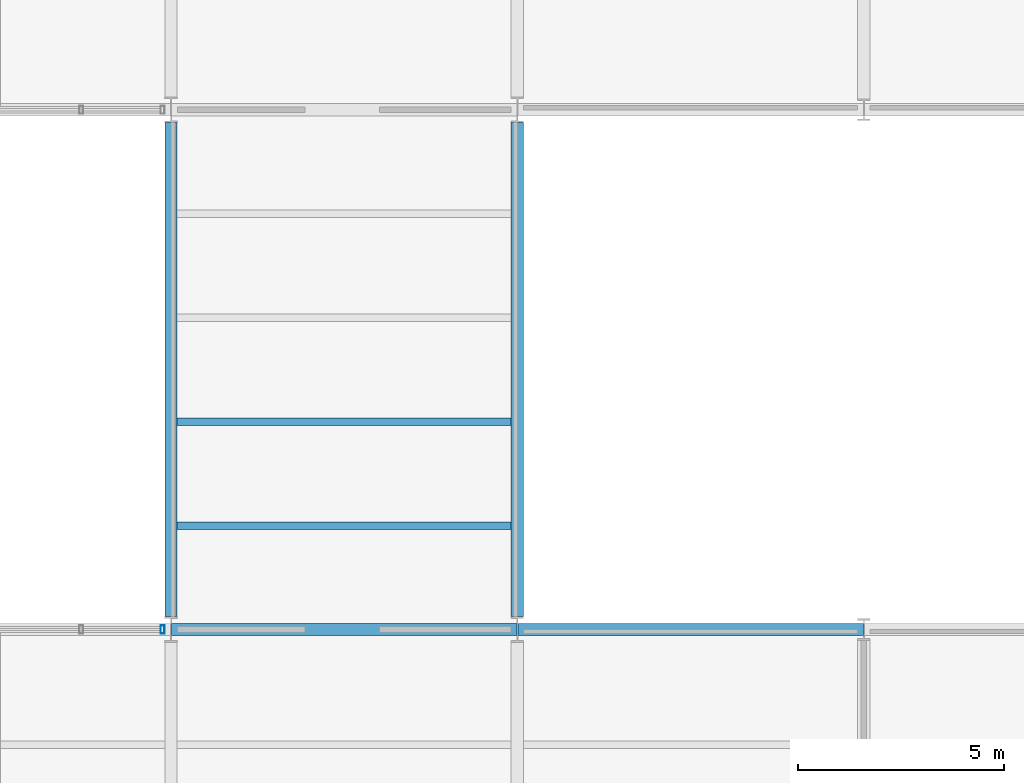
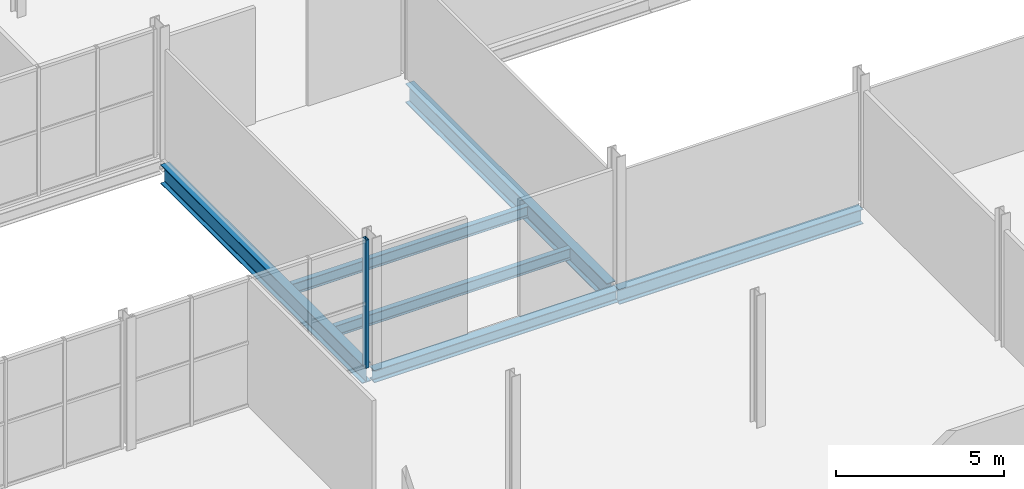
# One storey, part 12 of 52: 6 beams, 1 member, 1 element without a shape of its own.
"""IFC4 building model written with IfcOpenShell, lengths in metres."""

from ifc_helpers import new_model, si_unit, direction, frame, origin, origin_2d, place, context, subcontext, project, spatial, hollow_rectangle, i_section, extrude, material, layer, layer_set, material_profile, profile_set, type_object, element, aggregate, save


model = new_model("IFC4")

# Units and contexts
model_context = context("Model", 3, precision=1e-05, world=origin(), true_north=direction((0.0, 1.0)))
body_context = subcontext(model_context, "Body", "Model", "MODEL_VIEW")
ifc_project = project(units=[si_unit("LENGTHUNIT", "METRE"), si_unit("AREAUNIT", "SQUARE_METRE"), si_unit("VOLUMEUNIT", "CUBIC_METRE"), si_unit("PLANEANGLEUNIT", "RADIAN"), si_unit("MASSUNIT", "GRAM", prefix="KILO")], contexts=[model_context])

# Site, building, storey
site_placement = place(None, origin())
site = spatial("IfcSite", under=ifc_project, at=site_placement, CompositionType="ELEMENT")
building_placement = place(site_placement, origin())
building = spatial("IfcBuilding", under=site, at=building_placement, Name="Galleria Vessillo Department Store", CompositionType="ELEMENT")
storey_placement = place(building_placement, frame((0.0, 0.0, 16.199951171875)))
storey = spatial("IfcBuildingStorey", under=building, at=storey_placement, Name="L03", CompositionType="ELEMENT", Elevation=16.199951171875)

# Beams
ifc_material_1 = material(Name="Steel S355 J2", Category="steel")
ifc_material_profile_1 = material_profile(ifc_material_1, i_section(OverallWidth=0.300048828125, OverallDepth=0.43994140625, WebThickness=0.011474609375, FlangeThickness=0.02099609375, FilletRadius=0.027099609375, at=origin_2d()), Name="HEA 450")
ifc_profile_set_1 = profile_set([ifc_material_profile_1], Name="Steel S355 J2")
beam_type_1 = type_object("IfcBeamType", Name="Bridge girder HEA 450", PredefinedType="BEAM", material=ifc_profile_set_1)
beam_1_placement = place(storey_placement, frame((33.610595703125, 25.199951171875, -0.369873046875), z_axis=(1.0, 0.0, 0.0), x_axis=(0.0, 1.0, 0.0)))
element("IfcBeam", 1, at=beam_1_placement, inside=storey, type_object=beam_type_1, Name="S-BM-L03-BR-x25200-33611", PredefinedType="BEAM", context=body_context, shape_type="SweptSolid", body=[
    extrude(i_section(OverallWidth=0.300048828125, OverallDepth=0.43994140625, WebThickness=0.011474609375, FlangeThickness=0.02099609375, FilletRadius=0.027099609375, at=origin_2d()), origin(), (0.0, 0.0, 1.0), 8.378662109375),
])
ifc_material_2 = material(Name="Steel S355 J2", Category="steel")
ifc_material_profile_2 = material_profile(ifc_material_2, i_section(OverallWidth=0.300048828125, OverallDepth=0.68994140625, WebThickness=0.014404296875, FlangeThickness=0.027099609375, FilletRadius=0.027099609375, at=origin_2d()), Name="HEA 700")
ifc_profile_set_2 = profile_set([ifc_material_profile_2], Name="Steel S355 J2")
beam_type_2 = type_object("IfcBeamType", Name="Bridge girder HEA 700", PredefinedType="BEAM", material=ifc_profile_set_2)
for number, where, z_axis, x_axis, name in (
    (2, (33.60009765625, 25.51025390625, -0.494873046875), (0.0, 1.0, 0.0), (-1.0, 0.0, 0.0), "S-BM-L03-BR-y33600-25510"),
    (3, (42.0, 25.51025390625, -0.494873046875), (0.0, 1.0, 0.0), (-1.0, 0.0, 0.0), "S-BM-L03-BR-y42000-25510"),
):
    element("IfcBeam", number, at=place(storey_placement, frame(where, z_axis=z_axis, x_axis=x_axis)), inside=storey, type_object=beam_type_2, Name=name, PredefinedType="BEAM", context=body_context, shape_type="SweptSolid", body=[
        extrude(i_section(OverallWidth=0.300048828125, OverallDepth=0.68994140625, WebThickness=0.014404296875, FlangeThickness=0.027099609375, FilletRadius=0.027099609375, at=origin_2d()), origin(), (0.0, 0.0, 1.0), 11.9794921875),
    ])
ifc_material_3 = material(Name="Steel S355 J2", Category="steel")
ifc_material_profile_3 = material_profile(ifc_material_3, i_section(OverallWidth=0.179931640625, OverallDepth=0.39990234375, WebThickness=0.008544921875, FlangeThickness=0.013427734375, FilletRadius=0.02099609375, at=origin_2d()), Name="IPE 400")
ifc_profile_set_3 = profile_set([ifc_material_profile_3], Name="Steel S355 J2")
beam_type_3 = type_object("IfcBeamType", Name="Floor joist IPE 400", PredefinedType="JOIST", material=ifc_profile_set_3)
for number, where, z_axis, x_axis, name in (
    (4, (33.750244140625, 27.719970703125, -0.349853515625), (1.0, 0.0, 0.0), (0.0, 1.0, 0.0), "S-BM-L03-JO-x27720-33750"),
    (5, (33.750244140625, 30.239990234375, -0.349853515625), (1.0, 0.0, 0.0), (0.0, 1.0, 0.0), "S-BM-L03-JO-x30240-33750"),
):
    element("IfcBeam", number, at=place(storey_placement, frame(where, z_axis=z_axis, x_axis=x_axis)), inside=storey, type_object=beam_type_3, Name=name, PredefinedType="JOIST", context=body_context, shape_type="SweptSolid", body=[
        extrude(i_section(OverallWidth=0.179931640625, OverallDepth=0.39990234375, WebThickness=0.008544921875, FlangeThickness=0.013427734375, FilletRadius=0.02099609375, at=origin_2d()), origin(), (0.0, 0.0, 1.0), 8.099609375),
    ])

# Curtain wall, member
ifc_material_4 = material(Name="Steel and fire-resisting glass curtain wall", Category="steel")
ifc_layer = layer(ifc_material_4, 0.199951171875)
ifc_layer_set = layer_set([ifc_layer], Name="Steel and fire-resisting glass curtain wall")
curtain_wall_type = type_object("IfcCurtainWallType", Name="Arcade fire-resisting glazed shopfront EI 120-Sa", PredefinedType="NOTDEFINED", material=ifc_layer_set)
curtain_wall_placement = place(storey_placement, origin())
curtain_wall = element("IfcCurtainWall", 6, at=curtain_wall_placement, inside=storey, type_object=curtain_wall_type, Name="Arcade fire-resisting glazed shopfront EI 120-Sa AI-AW-S-L03-02", PredefinedType="NOTDEFINED")
ifc_material_5 = material(Name="Steel S355 J2", Category="steel")
ifc_material_profile_4 = material_profile(ifc_material_5, hollow_rectangle(XDim=0.199951171875, YDim=0.10009765625, WallThickness=0.008056640625, at=origin_2d()), Name="RHS 200x100x8")
ifc_profile_set_4 = profile_set([ifc_material_profile_4], Name="Steel S355 J2")
member_type = type_object("IfcMemberType", Name="Steel mullion RHS 200x100x8", PredefinedType="MULLION", material=ifc_profile_set_4)
member_placement = place(storey_placement, frame((33.3974609375, 25.199951171875, 0.0), z_axis=(0.0, 0.0, 1.0), x_axis=(0.0, 1.0, 0.0)))
member = element("IfcMember", 7, at=member_placement, type_object=member_type, Name="CW7 mullion 5", PredefinedType="MULLION", context=body_context, shape_type="SweptSolid", body=[
    extrude(hollow_rectangle(XDim=0.199951171875, YDim=0.10009765625, WallThickness=0.008056640625, at=origin_2d()), origin(), (0.0, 0.0, 1.0), 4.650146484375),
])
aggregate(curtain_wall, [member])

# Beam
ifc_material_6 = material(Name="Steel S355 J2", Category="steel")
ifc_material_profile_5 = material_profile(ifc_material_6, i_section(OverallWidth=0.300048828125, OverallDepth=0.5400390625, WebThickness=0.012451171875, FlangeThickness=0.02392578125, FilletRadius=0.027099609375, at=origin_2d()), Name="HEA 550")
ifc_profile_set_5 = profile_set([ifc_material_profile_5], Name="Steel S355 J2")
beam_type_4 = type_object("IfcBeamType", Name="Trimmer beam HEA 550", PredefinedType="BEAM", material=ifc_profile_set_5)
beam_2_placement = place(storey_placement, frame((42.0107421875, 25.199951171875, -0.419921875), z_axis=(1.0, 0.0, 0.0), x_axis=(0.0, 1.0, 0.0)))
element("IfcBeam", 8, at=beam_2_placement, inside=storey, type_object=beam_type_4, Name="S-BM-L03-TR-x25200-42011", PredefinedType="BEAM", context=body_context, shape_type="SweptSolid", body=[
    extrude(i_section(OverallWidth=0.300048828125, OverallDepth=0.5400390625, WebThickness=0.012451171875, FlangeThickness=0.02392578125, FilletRadius=0.027099609375, at=origin_2d()), origin(), (0.0, 0.0, 1.0), 8.378662109375),
])

save(model, "model.ifc")
